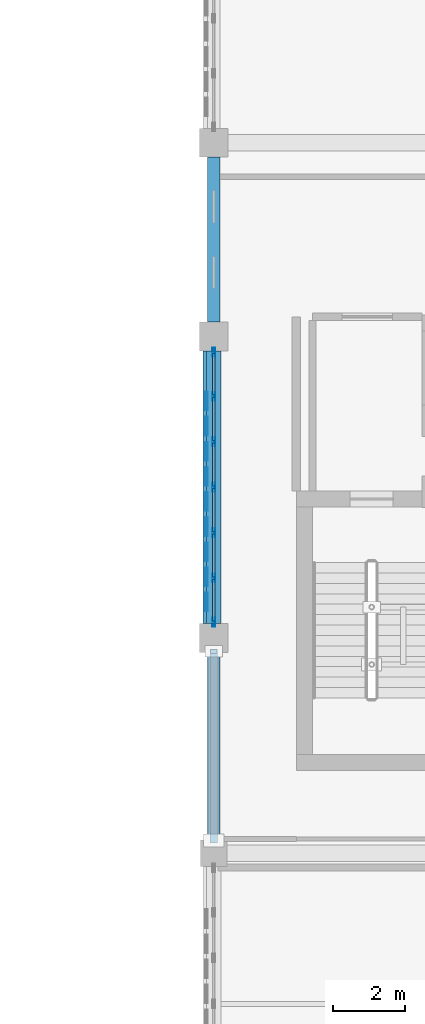
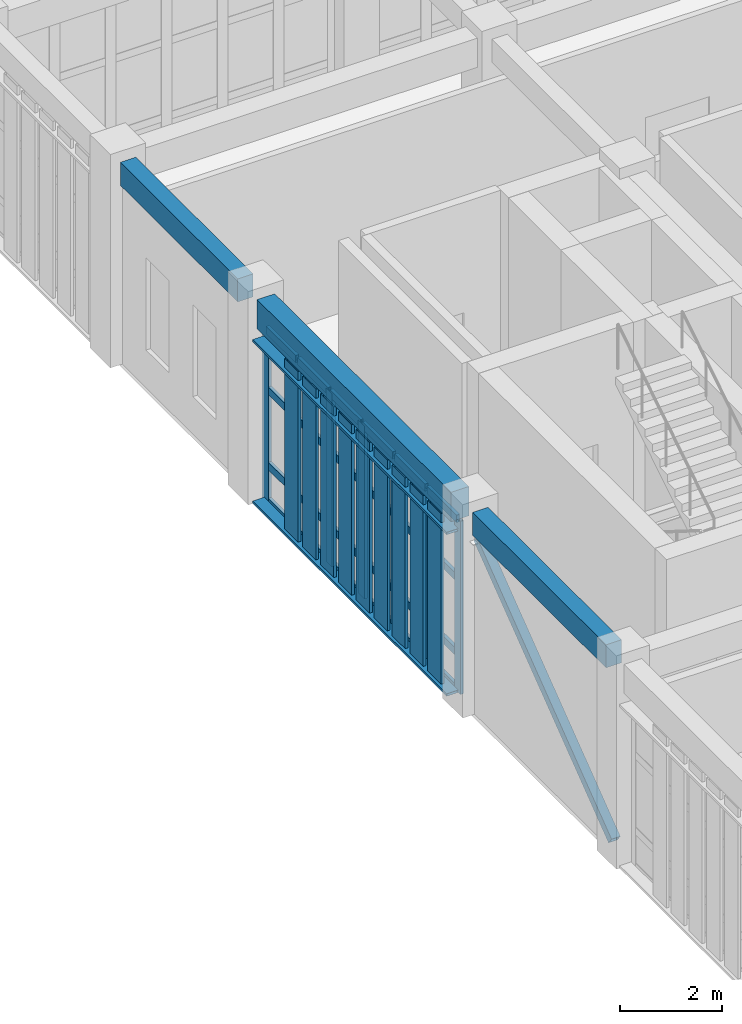
# One storey, part 34 of 77: 43 members, 3 beams, 1 element without a shape of its own.
"""IFC4 building model written with IfcOpenShell, lengths in metres."""

from ifc_helpers import new_model, si_unit, direction, frame, origin, origin_2d, place, context, subcontext, project, spatial, rectangle, hollow_rectangle, extrude, material, layer, layer_set, material_profile, profile_set, type_object, element, aggregate, save


model = new_model("IFC4")

# Units and contexts
model_context = context("Model", 3, precision=1e-05, world=origin(), true_north=direction((0.0, 1.0)))
body_context = subcontext(model_context, "Body", "Model", "MODEL_VIEW")
ifc_project = project(units=[si_unit("LENGTHUNIT", "METRE"), si_unit("AREAUNIT", "SQUARE_METRE"), si_unit("VOLUMEUNIT", "CUBIC_METRE"), si_unit("PLANEANGLEUNIT", "RADIAN"), si_unit("MASSUNIT", "GRAM", prefix="KILO")], contexts=[model_context])

# Site, building, storey
site_placement = place(None, origin())
site = spatial("IfcSite", under=ifc_project, at=site_placement, CompositionType="ELEMENT")
building_placement = place(site_placement, origin())
building = spatial("IfcBuilding", under=site, at=building_placement, Name="Krzemoval Escarpment Law Courts", CompositionType="ELEMENT")
storey_placement = place(building_placement, frame((0.0, 0.0, 15.300048828125)))
storey = spatial("IfcBuildingStorey", under=building, at=storey_placement, Name="L03", CompositionType="ELEMENT", Elevation=15.300048828125)

# Beams
ifc_material_1 = material(Name="Concrete C40/50", Category="concrete")
ifc_material_profile_1 = material_profile(ifc_material_1, rectangle(XDim=0.35009765625, YDim=0.550048828125, at=origin_2d()), Name="RCB 350x550")
ifc_profile_set_1 = profile_set([ifc_material_profile_1], Name="Concrete C40/50")
beam_type_1 = type_object("IfcBeamType", Name="BM-RC-350x550", PredefinedType="BEAM", material=ifc_profile_set_1)
beam_1_placement = place(storey_placement, frame((126.0, 93.97509765625, 4.56494140625), z_axis=(0.0, 1.0, 0.0), x_axis=(-1.0, 0.0, 0.0)))
element("IfcBeam", 1, at=beam_1_placement, inside=storey, type_object=beam_type_1, Name="Beam FG-L03-2311", PredefinedType="BEAM", context=body_context, shape_type="SweptSolid", body=[
    extrude(rectangle(XDim=0.35009765625, YDim=0.550048828125, at=origin_2d()), origin(), (0.0, 0.0, 1.0), 5.224853515625),
])
beam_2_placement = place(storey_placement, frame((126.0, 108.39990234375, 4.56494140625), z_axis=(0.0, 1.0, 0.0), x_axis=(-1.0, 0.0, 0.0)))
element("IfcBeam", 2, at=beam_2_placement, inside=storey, type_object=beam_type_1, Name="Beam FG-L03-2313", PredefinedType="BEAM", context=body_context, shape_type="SweptSolid", body=[
    extrude(rectangle(XDim=0.35009765625, YDim=0.550048828125, at=origin_2d()), origin(), (0.0, 0.0, 1.0), 4.60009765625),
])
ifc_material_2 = material(Name="Concrete C40/50", Category="concrete")
ifc_material_profile_2 = material_profile(ifc_material_2, rectangle(XDim=0.39990234375, YDim=0.699951171875, at=origin_2d()), Name="RCB 400x700")
ifc_profile_set_2 = profile_set([ifc_material_profile_2], Name="Concrete C40/50")
beam_type_2 = type_object("IfcBeamType", Name="BM-RC-400x700", PredefinedType="BEAM", material=ifc_profile_set_2)
beam_3_placement = place(storey_placement, frame((126.0, 100.0, 4.489990234375), z_axis=(0.0, 1.0, 0.0), x_axis=(-1.0, 0.0, 0.0)))
element("IfcBeam", 3, at=beam_3_placement, inside=storey, type_object=beam_type_2, Name="Beam FG-L03-2312", PredefinedType="BEAM", context=body_context, shape_type="SweptSolid", body=[
    extrude(rectangle(XDim=0.39990234375, YDim=0.699951171875, at=origin_2d()), origin(), (0.0, 0.0, 1.0), 7.60009765625),
])

# Curtain wall, members
ifc_material_3 = material(Name="Aluminium 6063-T6", Category="aluminium")
ifc_layer = layer(ifc_material_3, 0.239990234375)
ifc_layer_set = layer_set([ifc_layer], Name="Aluminium 6063-T6")
curtain_wall_type = type_object("IfcCurtainWallType", Name="CW-CHMB-4800", PredefinedType="USERDEFINED", material=ifc_layer_set)
curtain_wall_placement = place(storey_placement, origin())
curtain_wall = element("IfcCurtainWall", 4, at=curtain_wall_placement, inside=storey, type_object=curtain_wall_type, Name="Unitised Curtain Wall FCW-L03-112", ObjectType="UNITISED_CURTAIN_WALL", PredefinedType="USERDEFINED")
ifc_material_4 = material(Name="Aluminium 6063-T6", Category="aluminium")
ifc_material_profile_3 = material_profile(ifc_material_4, hollow_rectangle(XDim=0.074951171875, YDim=0.239990234375, WallThickness=0.0048828125, at=origin_2d()), Name="ALU M75x240")
ifc_profile_set_3 = profile_set([ifc_material_profile_3], Name="Aluminium 6063-T6")
member_type_1 = type_object("IfcMemberType", Name="CWM-75x240", PredefinedType="MULLION", material=ifc_profile_set_3)
member_1_placement = place(storey_placement, frame((126.0, 100.03759765625, 0.0), z_axis=(0.0, 0.0, 1.0), x_axis=(-1.0, 0.0, 0.0)))
member_1 = element("IfcMember", 5, at=member_1_placement, type_object=member_type_1, Name="FCW-L03-112 mullion 1", PredefinedType="MULLION", context=body_context, shape_type="SweptSolid", body=[
    extrude(hollow_rectangle(XDim=0.074951171875, YDim=0.239990234375, WallThickness=0.0048828125, at=origin_2d()), origin(), (0.0, 0.0, 1.0), 4.139892578125),
])
member_2_placement = place(storey_placement, frame((126.0, 101.2666015625, 0.0), z_axis=(0.0, 0.0, 1.0), x_axis=(-1.0, 0.0, 0.0)))
member_2 = element("IfcMember", 6, at=member_2_placement, type_object=member_type_1, Name="FCW-L03-112 mullion 2", PredefinedType="MULLION", context=body_context, shape_type="SweptSolid", body=[
    extrude(hollow_rectangle(XDim=0.074951171875, YDim=0.239990234375, WallThickness=0.0048828125, at=origin_2d()), origin(), (0.0, 0.0, 1.0), 4.139892578125),
])
member_3_placement = place(storey_placement, frame((126.0, 102.533447265625, 0.0), z_axis=(0.0, 0.0, 1.0), x_axis=(-1.0, 0.0, 0.0)))
member_3 = element("IfcMember", 7, at=member_3_placement, type_object=member_type_1, Name="FCW-L03-112 mullion 3", PredefinedType="MULLION", context=body_context, shape_type="SweptSolid", body=[
    extrude(hollow_rectangle(XDim=0.074951171875, YDim=0.239990234375, WallThickness=0.0048828125, at=origin_2d()), origin(), (0.0, 0.0, 1.0), 4.139892578125),
])
member_4_placement = place(storey_placement, frame((126.0, 103.800048828125, 0.0), z_axis=(0.0, 0.0, 1.0), x_axis=(-1.0, 0.0, 0.0)))
member_4 = element("IfcMember", 8, at=member_4_placement, type_object=member_type_1, Name="FCW-L03-112 mullion 4", PredefinedType="MULLION", context=body_context, shape_type="SweptSolid", body=[
    extrude(hollow_rectangle(XDim=0.074951171875, YDim=0.239990234375, WallThickness=0.0048828125, at=origin_2d()), origin(), (0.0, 0.0, 1.0), 4.139892578125),
])
member_5_placement = place(storey_placement, frame((126.0, 105.066650390625, 0.0), z_axis=(0.0, 0.0, 1.0), x_axis=(-1.0, 0.0, 0.0)))
member_5 = element("IfcMember", 9, at=member_5_placement, type_object=member_type_1, Name="FCW-L03-112 mullion 5", PredefinedType="MULLION", context=body_context, shape_type="SweptSolid", body=[
    extrude(hollow_rectangle(XDim=0.074951171875, YDim=0.239990234375, WallThickness=0.0048828125, at=origin_2d()), origin(), (0.0, 0.0, 1.0), 4.139892578125),
])
member_6_placement = place(storey_placement, frame((126.0, 106.333251953125, 0.0), z_axis=(0.0, 0.0, 1.0), x_axis=(-1.0, 0.0, 0.0)))
member_6 = element("IfcMember", 10, at=member_6_placement, type_object=member_type_1, Name="FCW-L03-112 mullion 6", PredefinedType="MULLION", context=body_context, shape_type="SweptSolid", body=[
    extrude(hollow_rectangle(XDim=0.074951171875, YDim=0.239990234375, WallThickness=0.0048828125, at=origin_2d()), origin(), (0.0, 0.0, 1.0), 4.139892578125),
])
member_7_placement = place(storey_placement, frame((126.0, 107.5625, 0.0), z_axis=(0.0, 0.0, 1.0), x_axis=(-1.0, 0.0, 0.0)))
member_7 = element("IfcMember", 11, at=member_7_placement, type_object=member_type_1, Name="FCW-L03-112 mullion 7", PredefinedType="MULLION", context=body_context, shape_type="SweptSolid", body=[
    extrude(hollow_rectangle(XDim=0.074951171875, YDim=0.239990234375, WallThickness=0.0048828125, at=origin_2d()), origin(), (0.0, 0.0, 1.0), 4.139892578125),
])
ifc_material_5 = material(Name="Aluminium 6063-T6", Category="aluminium")
ifc_material_profile_4 = material_profile(ifc_material_5, hollow_rectangle(XDim=0.074951171875, YDim=0.179931640625, WallThickness=0.0048828125, at=origin_2d()), Name="ALU T75x180")
ifc_profile_set_4 = profile_set([ifc_material_profile_4], Name="Aluminium 6063-T6")
member_type_2 = type_object("IfcMemberType", Name="CWT-75x180", PredefinedType="USERDEFINED", material=ifc_profile_set_4)
member_8_placement = place(storey_placement, frame((126.0, 100.074951171875, 0.037353515625), z_axis=(0.0, 1.0, 0.0), x_axis=(-1.0, 0.0, 0.0)))
member_8 = element("IfcMember", 12, at=member_8_placement, type_object=member_type_2, Name="FCW-L03-112 transom 1.1", ObjectType="TRANSOM", PredefinedType="USERDEFINED", context=body_context, shape_type="SweptSolid", body=[
    extrude(hollow_rectangle(XDim=0.074951171875, YDim=0.179931640625, WallThickness=0.0048828125, at=origin_2d()), origin(), (0.0, 0.0, 1.0), 1.154296875),
])
member_9_placement = place(storey_placement, frame((126.0, 100.074951171875, 0.89990234375), z_axis=(0.0, 1.0, 0.0), x_axis=(-1.0, 0.0, 0.0)))
member_9 = element("IfcMember", 13, at=member_9_placement, type_object=member_type_2, Name="FCW-L03-112 transom 1.2", ObjectType="TRANSOM", PredefinedType="USERDEFINED", context=body_context, shape_type="SweptSolid", body=[
    extrude(hollow_rectangle(XDim=0.074951171875, YDim=0.179931640625, WallThickness=0.0048828125, at=origin_2d()), origin(), (0.0, 0.0, 1.0), 1.154296875),
])
member_10_placement = place(storey_placement, frame((126.0, 100.074951171875, 2.699951171875), z_axis=(0.0, 1.0, 0.0), x_axis=(-1.0, 0.0, 0.0)))
member_10 = element("IfcMember", 14, at=member_10_placement, type_object=member_type_2, Name="FCW-L03-112 transom 1.3", ObjectType="TRANSOM", PredefinedType="USERDEFINED", context=body_context, shape_type="SweptSolid", body=[
    extrude(hollow_rectangle(XDim=0.074951171875, YDim=0.179931640625, WallThickness=0.0048828125, at=origin_2d()), origin(), (0.0, 0.0, 1.0), 1.154296875),
])
member_11_placement = place(storey_placement, frame((126.0, 100.074951171875, 4.1025390625), z_axis=(0.0, 1.0, 0.0), x_axis=(-1.0, 0.0, 0.0)))
member_11 = element("IfcMember", 15, at=member_11_placement, type_object=member_type_2, Name="FCW-L03-112 transom 1.4", ObjectType="TRANSOM", PredefinedType="USERDEFINED", context=body_context, shape_type="SweptSolid", body=[
    extrude(hollow_rectangle(XDim=0.074951171875, YDim=0.179931640625, WallThickness=0.0048828125, at=origin_2d()), origin(), (0.0, 0.0, 1.0), 1.154296875),
])
member_12_placement = place(storey_placement, frame((126.0, 101.30419921875, 0.037353515625), z_axis=(0.0, 1.0, 0.0), x_axis=(-1.0, 0.0, 0.0)))
member_12 = element("IfcMember", 16, at=member_12_placement, type_object=member_type_2, Name="FCW-L03-112 transom 2.1", ObjectType="TRANSOM", PredefinedType="USERDEFINED", context=body_context, shape_type="SweptSolid", body=[
    extrude(hollow_rectangle(XDim=0.074951171875, YDim=0.179931640625, WallThickness=0.0048828125, at=origin_2d()), origin(), (0.0, 0.0, 1.0), 1.191650390625),
])
member_13_placement = place(storey_placement, frame((126.0, 101.30419921875, 0.89990234375), z_axis=(0.0, 1.0, 0.0), x_axis=(-1.0, 0.0, 0.0)))
member_13 = element("IfcMember", 17, at=member_13_placement, type_object=member_type_2, Name="FCW-L03-112 transom 2.2", ObjectType="TRANSOM", PredefinedType="USERDEFINED", context=body_context, shape_type="SweptSolid", body=[
    extrude(hollow_rectangle(XDim=0.074951171875, YDim=0.179931640625, WallThickness=0.0048828125, at=origin_2d()), origin(), (0.0, 0.0, 1.0), 1.191650390625),
])
member_14_placement = place(storey_placement, frame((126.0, 101.30419921875, 2.699951171875), z_axis=(0.0, 1.0, 0.0), x_axis=(-1.0, 0.0, 0.0)))
member_14 = element("IfcMember", 18, at=member_14_placement, type_object=member_type_2, Name="FCW-L03-112 transom 2.3", ObjectType="TRANSOM", PredefinedType="USERDEFINED", context=body_context, shape_type="SweptSolid", body=[
    extrude(hollow_rectangle(XDim=0.074951171875, YDim=0.179931640625, WallThickness=0.0048828125, at=origin_2d()), origin(), (0.0, 0.0, 1.0), 1.191650390625),
])
member_15_placement = place(storey_placement, frame((126.0, 101.30419921875, 4.1025390625), z_axis=(0.0, 1.0, 0.0), x_axis=(-1.0, 0.0, 0.0)))
member_15 = element("IfcMember", 19, at=member_15_placement, type_object=member_type_2, Name="FCW-L03-112 transom 2.4", ObjectType="TRANSOM", PredefinedType="USERDEFINED", context=body_context, shape_type="SweptSolid", body=[
    extrude(hollow_rectangle(XDim=0.074951171875, YDim=0.179931640625, WallThickness=0.0048828125, at=origin_2d()), origin(), (0.0, 0.0, 1.0), 1.191650390625),
])
member_16_placement = place(storey_placement, frame((126.0, 102.57080078125, 0.037353515625), z_axis=(0.0, 1.0, 0.0), x_axis=(-1.0, 0.0, 0.0)))
member_16 = element("IfcMember", 20, at=member_16_placement, type_object=member_type_2, Name="FCW-L03-112 transom 3.1", ObjectType="TRANSOM", PredefinedType="USERDEFINED", context=body_context, shape_type="SweptSolid", body=[
    extrude(hollow_rectangle(XDim=0.074951171875, YDim=0.179931640625, WallThickness=0.0048828125, at=origin_2d()), origin(), (0.0, 0.0, 1.0), 1.191650390625),
])
member_17_placement = place(storey_placement, frame((126.0, 102.57080078125, 0.89990234375), z_axis=(0.0, 1.0, 0.0), x_axis=(-1.0, 0.0, 0.0)))
member_17 = element("IfcMember", 21, at=member_17_placement, type_object=member_type_2, Name="FCW-L03-112 transom 3.2", ObjectType="TRANSOM", PredefinedType="USERDEFINED", context=body_context, shape_type="SweptSolid", body=[
    extrude(hollow_rectangle(XDim=0.074951171875, YDim=0.179931640625, WallThickness=0.0048828125, at=origin_2d()), origin(), (0.0, 0.0, 1.0), 1.191650390625),
])
member_18_placement = place(storey_placement, frame((126.0, 102.57080078125, 2.699951171875), z_axis=(0.0, 1.0, 0.0), x_axis=(-1.0, 0.0, 0.0)))
member_18 = element("IfcMember", 22, at=member_18_placement, type_object=member_type_2, Name="FCW-L03-112 transom 3.3", ObjectType="TRANSOM", PredefinedType="USERDEFINED", context=body_context, shape_type="SweptSolid", body=[
    extrude(hollow_rectangle(XDim=0.074951171875, YDim=0.179931640625, WallThickness=0.0048828125, at=origin_2d()), origin(), (0.0, 0.0, 1.0), 1.191650390625),
])
member_19_placement = place(storey_placement, frame((126.0, 102.57080078125, 4.1025390625), z_axis=(0.0, 1.0, 0.0), x_axis=(-1.0, 0.0, 0.0)))
member_19 = element("IfcMember", 23, at=member_19_placement, type_object=member_type_2, Name="FCW-L03-112 transom 3.4", ObjectType="TRANSOM", PredefinedType="USERDEFINED", context=body_context, shape_type="SweptSolid", body=[
    extrude(hollow_rectangle(XDim=0.074951171875, YDim=0.179931640625, WallThickness=0.0048828125, at=origin_2d()), origin(), (0.0, 0.0, 1.0), 1.191650390625),
])
member_20_placement = place(storey_placement, frame((126.0, 103.83740234375, 0.037353515625), z_axis=(0.0, 1.0, 0.0), x_axis=(-1.0, 0.0, 0.0)))
member_20 = element("IfcMember", 24, at=member_20_placement, type_object=member_type_2, Name="FCW-L03-112 transom 4.1", ObjectType="TRANSOM", PredefinedType="USERDEFINED", context=body_context, shape_type="SweptSolid", body=[
    extrude(hollow_rectangle(XDim=0.074951171875, YDim=0.179931640625, WallThickness=0.0048828125, at=origin_2d()), origin(), (0.0, 0.0, 1.0), 1.191650390625),
])
member_21_placement = place(storey_placement, frame((126.0, 103.83740234375, 0.89990234375), z_axis=(0.0, 1.0, 0.0), x_axis=(-1.0, 0.0, 0.0)))
member_21 = element("IfcMember", 25, at=member_21_placement, type_object=member_type_2, Name="FCW-L03-112 transom 4.2", ObjectType="TRANSOM", PredefinedType="USERDEFINED", context=body_context, shape_type="SweptSolid", body=[
    extrude(hollow_rectangle(XDim=0.074951171875, YDim=0.179931640625, WallThickness=0.0048828125, at=origin_2d()), origin(), (0.0, 0.0, 1.0), 1.191650390625),
])
member_22_placement = place(storey_placement, frame((126.0, 103.83740234375, 2.699951171875), z_axis=(0.0, 1.0, 0.0), x_axis=(-1.0, 0.0, 0.0)))
member_22 = element("IfcMember", 26, at=member_22_placement, type_object=member_type_2, Name="FCW-L03-112 transom 4.3", ObjectType="TRANSOM", PredefinedType="USERDEFINED", context=body_context, shape_type="SweptSolid", body=[
    extrude(hollow_rectangle(XDim=0.074951171875, YDim=0.179931640625, WallThickness=0.0048828125, at=origin_2d()), origin(), (0.0, 0.0, 1.0), 1.191650390625),
])
member_23_placement = place(storey_placement, frame((126.0, 103.83740234375, 4.1025390625), z_axis=(0.0, 1.0, 0.0), x_axis=(-1.0, 0.0, 0.0)))
member_23 = element("IfcMember", 27, at=member_23_placement, type_object=member_type_2, Name="FCW-L03-112 transom 4.4", ObjectType="TRANSOM", PredefinedType="USERDEFINED", context=body_context, shape_type="SweptSolid", body=[
    extrude(hollow_rectangle(XDim=0.074951171875, YDim=0.179931640625, WallThickness=0.0048828125, at=origin_2d()), origin(), (0.0, 0.0, 1.0), 1.191650390625),
])
member_24_placement = place(storey_placement, frame((126.0, 105.104248046875, 0.037353515625), z_axis=(0.0, 1.0, 0.0), x_axis=(-1.0, 0.0, 0.0)))
member_24 = element("IfcMember", 28, at=member_24_placement, type_object=member_type_2, Name="FCW-L03-112 transom 5.1", ObjectType="TRANSOM", PredefinedType="USERDEFINED", context=body_context, shape_type="SweptSolid", body=[
    extrude(hollow_rectangle(XDim=0.074951171875, YDim=0.179931640625, WallThickness=0.0048828125, at=origin_2d()), origin(), (0.0, 0.0, 1.0), 1.191650390625),
])
member_25_placement = place(storey_placement, frame((126.0, 105.104248046875, 0.89990234375), z_axis=(0.0, 1.0, 0.0), x_axis=(-1.0, 0.0, 0.0)))
member_25 = element("IfcMember", 29, at=member_25_placement, type_object=member_type_2, Name="FCW-L03-112 transom 5.2", ObjectType="TRANSOM", PredefinedType="USERDEFINED", context=body_context, shape_type="SweptSolid", body=[
    extrude(hollow_rectangle(XDim=0.074951171875, YDim=0.179931640625, WallThickness=0.0048828125, at=origin_2d()), origin(), (0.0, 0.0, 1.0), 1.191650390625),
])
member_26_placement = place(storey_placement, frame((126.0, 105.104248046875, 2.699951171875), z_axis=(0.0, 1.0, 0.0), x_axis=(-1.0, 0.0, 0.0)))
member_26 = element("IfcMember", 30, at=member_26_placement, type_object=member_type_2, Name="FCW-L03-112 transom 5.3", ObjectType="TRANSOM", PredefinedType="USERDEFINED", context=body_context, shape_type="SweptSolid", body=[
    extrude(hollow_rectangle(XDim=0.074951171875, YDim=0.179931640625, WallThickness=0.0048828125, at=origin_2d()), origin(), (0.0, 0.0, 1.0), 1.191650390625),
])
member_27_placement = place(storey_placement, frame((126.0, 105.104248046875, 4.1025390625), z_axis=(0.0, 1.0, 0.0), x_axis=(-1.0, 0.0, 0.0)))
member_27 = element("IfcMember", 31, at=member_27_placement, type_object=member_type_2, Name="FCW-L03-112 transom 5.4", ObjectType="TRANSOM", PredefinedType="USERDEFINED", context=body_context, shape_type="SweptSolid", body=[
    extrude(hollow_rectangle(XDim=0.074951171875, YDim=0.179931640625, WallThickness=0.0048828125, at=origin_2d()), origin(), (0.0, 0.0, 1.0), 1.191650390625),
])
member_28_placement = place(storey_placement, frame((126.0, 106.370849609375, 0.037353515625), z_axis=(0.0, 1.0, 0.0), x_axis=(-1.0, 0.0, 0.0)))
member_28 = element("IfcMember", 32, at=member_28_placement, type_object=member_type_2, Name="FCW-L03-112 transom 6.1", ObjectType="TRANSOM", PredefinedType="USERDEFINED", context=body_context, shape_type="SweptSolid", body=[
    extrude(hollow_rectangle(XDim=0.074951171875, YDim=0.179931640625, WallThickness=0.0048828125, at=origin_2d()), origin(), (0.0, 0.0, 1.0), 1.154052734375),
])
member_29_placement = place(storey_placement, frame((126.0, 106.370849609375, 0.89990234375), z_axis=(0.0, 1.0, 0.0), x_axis=(-1.0, 0.0, 0.0)))
member_29 = element("IfcMember", 33, at=member_29_placement, type_object=member_type_2, Name="FCW-L03-112 transom 6.2", ObjectType="TRANSOM", PredefinedType="USERDEFINED", context=body_context, shape_type="SweptSolid", body=[
    extrude(hollow_rectangle(XDim=0.074951171875, YDim=0.179931640625, WallThickness=0.0048828125, at=origin_2d()), origin(), (0.0, 0.0, 1.0), 1.154052734375),
])
member_30_placement = place(storey_placement, frame((126.0, 106.370849609375, 2.699951171875), z_axis=(0.0, 1.0, 0.0), x_axis=(-1.0, 0.0, 0.0)))
member_30 = element("IfcMember", 34, at=member_30_placement, type_object=member_type_2, Name="FCW-L03-112 transom 6.3", ObjectType="TRANSOM", PredefinedType="USERDEFINED", context=body_context, shape_type="SweptSolid", body=[
    extrude(hollow_rectangle(XDim=0.074951171875, YDim=0.179931640625, WallThickness=0.0048828125, at=origin_2d()), origin(), (0.0, 0.0, 1.0), 1.154052734375),
])
member_31_placement = place(storey_placement, frame((126.0, 106.370849609375, 4.1025390625), z_axis=(0.0, 1.0, 0.0), x_axis=(-1.0, 0.0, 0.0)))
member_31 = element("IfcMember", 35, at=member_31_placement, type_object=member_type_2, Name="FCW-L03-112 transom 6.4", ObjectType="TRANSOM", PredefinedType="USERDEFINED", context=body_context, shape_type="SweptSolid", body=[
    extrude(hollow_rectangle(XDim=0.074951171875, YDim=0.179931640625, WallThickness=0.0048828125, at=origin_2d()), origin(), (0.0, 0.0, 1.0), 1.154052734375),
])
aggregate(curtain_wall, [member_1, member_2, member_3, member_4, member_5, member_6, member_7, member_8, member_9, member_10, member_11, member_12, member_13, member_14, member_15, member_16, member_17, member_18, member_19, member_20, member_21, member_22, member_23, member_24, member_25, member_26, member_27, member_28, member_29, member_30, member_31])

# Members
ifc_material_6 = material(Name="Anodised Aluminium Alloy 6063-T6", Category="aluminium")
ifc_material_profile_5 = material_profile(ifc_material_6, hollow_rectangle(XDim=0.06005859375, YDim=0.320068359375, WallThickness=0.00390625, at=origin_2d()), Name="ALU LVR 60x320")
ifc_profile_set_5 = profile_set([ifc_material_profile_5], Name="Anodised Aluminium Alloy 6063-T6")
member_type_3 = type_object("IfcMemberType", Name="LVR-ALU-320", PredefinedType="USERDEFINED", material=ifc_profile_set_5)
for number, where, z_axis, x_axis, name in (
    (36, (125.860107421875, 100.0, 0.030029296875), (0.0, 1.0, 0.0), (0.0, 0.0, 1.0), "Sunshade Support Rail FSR-L03-0770"),
    (37, (125.860107421875, 100.0, 3.889892578125), (0.0, 1.0, 0.0), (0.0, 0.0, 1.0), "Sunshade Support Rail FSR-L03-0771"),
):
    element("IfcMember", number, at=place(storey_placement, frame(where, z_axis=z_axis, x_axis=x_axis)), inside=storey, type_object=member_type_3, Name=name, ObjectType="SUNSHADE_LOUVRE", PredefinedType="USERDEFINED", context=body_context, shape_type="SweptSolid", body=[
        extrude(hollow_rectangle(XDim=0.06005859375, YDim=0.320068359375, WallThickness=0.00390625, at=origin_2d()), origin(), (0.0, 0.0, 1.0), 7.60009765625),
    ])
ifc_material_7 = material(Name="Anodised Aluminium Alloy 6063-T6", Category="aluminium")
ifc_material_profile_6 = material_profile(ifc_material_7, hollow_rectangle(XDim=0.06494140625, YDim=0.52001953125, WallThickness=0.00439453125, at=origin_2d()), Name="ALU LVR 65x520")
ifc_profile_set_6 = profile_set([ifc_material_profile_6], Name="Anodised Aluminium Alloy 6063-T6")
member_type_4 = type_object("IfcMemberType", Name="LVR-ALU-520", PredefinedType="USERDEFINED", material=ifc_profile_set_6)
for number, where, z_axis, x_axis, name in (
    (38, (125.800048828125, 100.60009765625, 0.06005859375), (0.0, 0.0, 1.0), (1.0, 0.0, 0.0), "Sunshade Louvre Fin FLV-L03-0772"),
    (39, (125.800048828125, 101.300048828125, 0.06005859375), (0.0, 0.0, 1.0), (1.0, 0.0, 0.0), "Sunshade Louvre Fin FLV-L03-0773"),
    (40, (125.800048828125, 102.0, 0.06005859375), (0.0, 0.0, 1.0), (1.0, 0.0, 0.0), "Sunshade Louvre Fin FLV-L03-0774"),
    (41, (125.800048828125, 102.699951171875, 0.06005859375), (0.0, 0.0, 1.0), (1.0, 0.0, 0.0), "Sunshade Louvre Fin FLV-L03-0775"),
    (42, (125.800048828125, 103.39990234375, 0.06005859375), (0.0, 0.0, 1.0), (1.0, 0.0, 0.0), "Sunshade Louvre Fin FLV-L03-0776"),
    (43, (125.800048828125, 104.10009765625, 0.06005859375), (0.0, 0.0, 1.0), (1.0, 0.0, 0.0), "Sunshade Louvre Fin FLV-L03-0777"),
    (44, (125.800048828125, 104.800048828125, 0.06005859375), (0.0, 0.0, 1.0), (1.0, 0.0, 0.0), "Sunshade Louvre Fin FLV-L03-0778"),
    (45, (125.800048828125, 105.5, 0.06005859375), (0.0, 0.0, 1.0), (1.0, 0.0, 0.0), "Sunshade Louvre Fin FLV-L03-0779"),
    (46, (125.800048828125, 106.199951171875, 0.06005859375), (0.0, 0.0, 1.0), (1.0, 0.0, 0.0), "Sunshade Louvre Fin FLV-L03-0780"),
):
    element("IfcMember", number, at=place(storey_placement, frame(where, z_axis=z_axis, x_axis=x_axis)), inside=storey, type_object=member_type_4, Name=name, ObjectType="SUNSHADE_LOUVRE", PredefinedType="USERDEFINED", context=body_context, shape_type="SweptSolid", body=[
        extrude(hollow_rectangle(XDim=0.06494140625, YDim=0.52001953125, WallThickness=0.00439453125, at=origin_2d()), origin(), (0.0, 0.0, 1.0), 4.079833984375),
    ])
ifc_material_8 = material(Name="Steel S355", Category="steel")
ifc_material_profile_7 = material_profile(ifc_material_8, hollow_rectangle(XDim=0.199951171875, YDim=0.199951171875, WallThickness=0.010009765625, at=origin_2d()), Name="SHS 200x200x10")
ifc_profile_set_7 = profile_set([ifc_material_profile_7], Name="Steel S355")
member_type_5 = type_object("IfcMemberType", Name="MBR-BRC-SHS200", PredefinedType="BRACE", material=ifc_profile_set_7)
member_32_placement = place(storey_placement, frame((126.0, 93.949951171875, 0.139892578125), z_axis=(0.0, 0.79536918511, 0.606125283566), x_axis=(-1.0, 0.0, 0.0)))
element("IfcMember", 47, at=member_32_placement, inside=storey, type_object=member_type_5, Name="Lateral Diagonal Brace BR-0248", PredefinedType="BRACE", context=body_context, shape_type="SweptSolid", body=[
    extrude(hollow_rectangle(XDim=0.199951171875, YDim=0.199951171875, WallThickness=0.010009765625, at=origin_2d()), origin(), (0.0, 0.0, 1.0), 6.63232421875),
])

save(model, "model.ifc")
